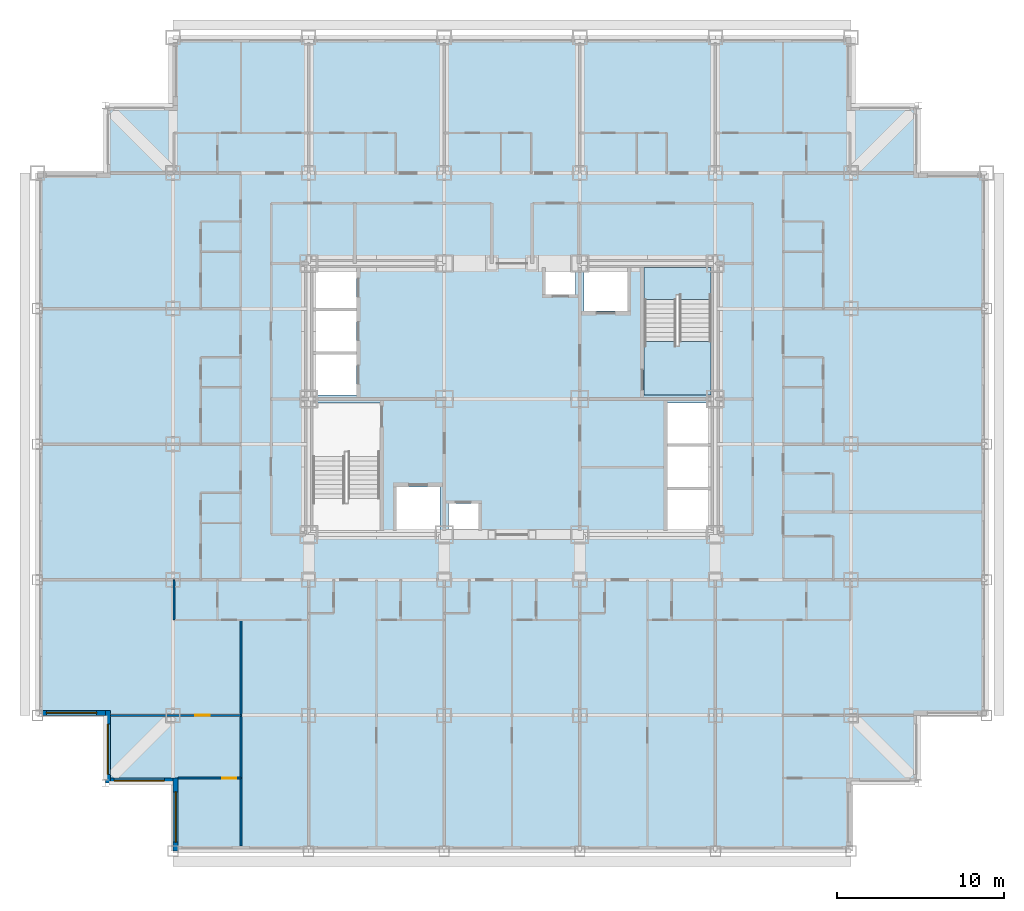
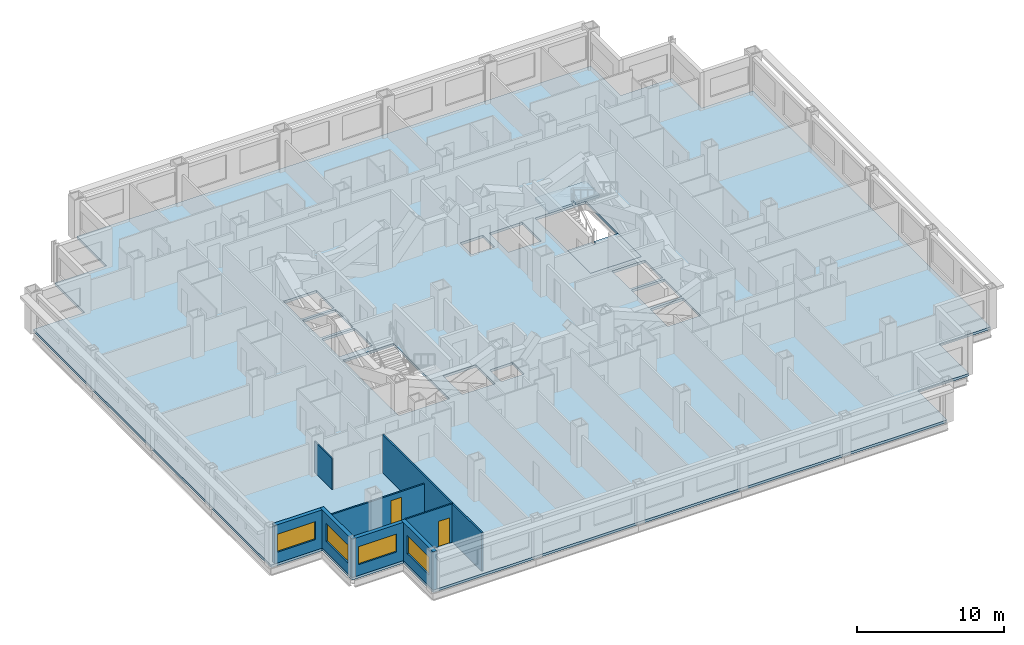
# One storey, part 3 of 12: 8 walls, 4 windows, 3 slabs, 2 doors, 6 openings, 1 element without a shape of its own.
"""IFC4 building model written with IfcOpenShell, lengths in metres."""

from ifc_helpers import new_model, si_unit, direction, frame, frame_2d, origin, place, context, subcontext, project, spatial, polyline, rectangle, outline, extrude, material, layer, layer_set, type_object, element, fill, aggregate, save


model = new_model("IFC4")

# Units and contexts
model_context = context("Model", 3, precision=1e-05, world=origin(), true_north=direction((0.0, 1.0)))
body_context = subcontext(model_context, "Body", "Model", "MODEL_VIEW")
ifc_project = project(units=[si_unit("LENGTHUNIT", "METRE"), si_unit("AREAUNIT", "SQUARE_METRE"), si_unit("VOLUMEUNIT", "CUBIC_METRE"), si_unit("PLANEANGLEUNIT", "RADIAN"), si_unit("MASSUNIT", "GRAM", prefix="KILO")], contexts=[model_context])

# Site, building, storey
site_placement = place(None, origin())
site = spatial("IfcSite", under=ifc_project, at=site_placement, CompositionType="ELEMENT")
building_placement = place(site_placement, origin())
building = spatial("IfcBuilding", under=site, at=building_placement, Name="Kopane Lantern Tower", CompositionType="ELEMENT")
storey_placement = place(building_placement, frame((0.0, 0.0, 106.800048828125)))
storey = spatial("IfcBuildingStorey", under=building, at=storey_placement, Name="L26", CompositionType="ELEMENT", Elevation=106.800048828125)

# Slab
ifc_material_1 = material(Name="Concrete C40/50", Category="concrete")
ifc_layer_1 = layer(ifc_material_1, 0.2099609375)
ifc_layer_set_1 = layer_set([ifc_layer_1], Name="SLAB 210 COMPOSITE")
slab_type_1 = type_object("IfcSlabType", Name="SLAB 210 COMPOSITE", PredefinedType="FLOOR", material=ifc_layer_set_1)
slab_1_placement = place(storey_placement, frame((0.0, 0.0, -0.2099609375)))
element("IfcSlab", 1, at=slab_1_placement, inside=storey, type_object=slab_type_1, Name="Floor slab L26", PredefinedType="FLOOR", context=body_context, shape_type="SweptSolid", body=[
    extrude(outline(polyline([(8.10009765625, 5.39990234375), (48.60009765625, 5.39990234375), (48.60009765625, 9.449951171875), (52.64990234375, 9.449951171875), (52.64990234375, 13.5), (56.699951171875, 13.5), (56.699951171875, 45.89990234375), (52.64990234375, 45.89990234375), (52.64990234375, 49.949951171875), (48.60009765625, 49.949951171875), (48.60009765625, 54.0), (8.10009765625, 54.0), (8.10009765625, 49.949951171875), (4.050048828125, 49.949951171875), (4.050048828125, 45.89990234375), (0.0, 45.89990234375), (0.0, 13.5), (4.050048828125, 13.5), (4.050048828125, 9.449951171875), (8.10009765625, 9.449951171875), (8.10009765625, 5.39990234375)]), holes=[polyline([(16.449951171875, 24.550048828125), (20.449951171875, 24.550048828125), (20.449951171875, 32.14990234375), (16.449951171875, 32.14990234375), (16.449951171875, 24.550048828125)]), polyline([(36.25, 32.64990234375), (40.25, 32.64990234375), (40.25, 40.25), (36.25, 40.25), (36.25, 32.64990234375)]), polyline([(16.449951171875, 32.64990234375), (19.050048828125, 32.64990234375), (19.050048828125, 35.050048828125), (16.449951171875, 35.050048828125), (16.449951171875, 32.64990234375)]), polyline([(16.449951171875, 35.25), (19.050048828125, 35.25), (19.050048828125, 37.64990234375), (16.449951171875, 37.64990234375), (16.449951171875, 35.25)]), polyline([(16.449951171875, 37.85009765625), (19.050048828125, 37.85009765625), (19.050048828125, 40.25), (16.449951171875, 40.25), (16.449951171875, 37.85009765625)]), polyline([(37.64990234375, 24.550048828125), (40.25, 24.550048828125), (40.25, 26.949951171875), (37.64990234375, 26.949951171875), (37.64990234375, 24.550048828125)]), polyline([(37.64990234375, 27.14990234375), (40.25, 27.14990234375), (40.25, 29.550048828125), (37.64990234375, 29.550048828125), (37.64990234375, 27.14990234375)]), polyline([(37.64990234375, 29.75), (40.25, 29.75), (40.25, 32.14990234375), (37.64990234375, 32.14990234375), (37.64990234375, 29.75)]), polyline([(21.449951171875, 24.550048828125), (24.050048828125, 24.550048828125), (24.050048828125, 27.14990234375), (21.449951171875, 27.14990234375), (21.449951171875, 24.550048828125)]), polyline([(32.64990234375, 37.64990234375), (35.25, 37.64990234375), (35.25, 40.25), (32.64990234375, 40.25), (32.64990234375, 37.64990234375)]), polyline([(24.550048828125, 24.550048828125), (26.35009765625, 24.550048828125), (26.35009765625, 26.14990234375), (24.550048828125, 26.14990234375), (24.550048828125, 24.550048828125)]), polyline([(30.35009765625, 38.64990234375), (32.14990234375, 38.64990234375), (32.14990234375, 40.25), (30.35009765625, 40.25), (30.35009765625, 38.64990234375)])]), origin(), (0.0, 0.0, 1.0), 0.2099609375),
])

# Stair, slabs
ifc_material_2 = material(Name="Steel S355JR", Category="steel")
stair_type = type_object("IfcStairType", Name="EXIT STAIR 1900 HALF TURN", PredefinedType="HALF_TURN_STAIR", material=ifc_material_2)
stair_placement = place(storey_placement, origin())
stair = element("IfcStair", 2, at=stair_placement, inside=storey, type_object=stair_type, Name="Exit stair ST2 L26", PredefinedType="HALF_TURN_STAIR")
ifc_material_3 = material(Name="Concrete C40/50", Category="concrete")
ifc_layer_2 = layer(ifc_material_3, 0.199951171875)
ifc_layer_set_2 = layer_set([ifc_layer_2], Name="STAIR LANDING 200")
slab_type_2 = type_object("IfcSlabType", Name="STAIR LANDING 200", PredefinedType="LANDING", material=ifc_layer_set_2)
slab_2_placement = place(storey_placement, frame((0.0, 0.0, -0.199951171875)))
slab_2 = element("IfcSlab", 3, at=slab_2_placement, type_object=slab_type_2, Name="ST2 landing 1", PredefinedType="LANDING", context=body_context, shape_type="SweptSolid", body=[
    extrude(outline(polyline([(40.25, 35.830078125), (38.35009765625, 35.830078125), (38.35009765625, 35.550048828125), (38.14990234375, 35.550048828125), (38.14990234375, 35.830078125), (36.25, 35.830078125), (36.25, 32.64990234375), (40.25, 32.64990234375), (40.25, 35.830078125)])), origin(), (0.0, 0.0, 1.0), 0.199951171875),
])
slab_3_placement = place(storey_placement, frame((0.0, 0.0, 1.5)))
slab_3 = element("IfcSlab", 4, at=slab_3_placement, type_object=slab_type_2, Name="ST2 landing 2", PredefinedType="LANDING", context=body_context, shape_type="SweptSolid", body=[
    extrude(outline(polyline([(38.14990234375, 38.6298828125), (38.35009765625, 38.6298828125), (38.35009765625, 38.35009765625), (40.25, 38.35009765625), (40.25, 40.25), (36.25, 40.25), (36.25, 38.35009765625), (38.14990234375, 38.35009765625), (38.14990234375, 38.6298828125)])), origin(), (0.0, 0.0, 1.0), 0.199951171875),
])
aggregate(stair, [slab_2, slab_3])

# Wall
ifc_material_4 = material(Name="Gypsum board on steel studs", Category="steel")
ifc_layer_3 = layer(ifc_material_4, 0.1201171875)
ifc_layer_set_3 = layer_set([ifc_layer_3], Name="APARTMENT INTERNAL WALL 120")
wall_type_1 = type_object("IfcWallType", Name="APARTMENT INTERNAL WALL 120", PredefinedType="PARTITIONING", material=ifc_layer_set_3)
wall_1_placement = place(storey_placement, frame((12.14990234375, 19.199951171875, 0.0), z_axis=(0.0, 0.0, 1.0), x_axis=(0.0, -1.0, 0.0)))
element("IfcWall", 5, at=wall_1_placement, inside=storey, type_object=wall_type_1, Name="Apartment Internal Wall 120 L26", PredefinedType="PARTITIONING", context=body_context, shape_type="SweptSolid", body=[
    extrude(rectangle(XDim=13.5, YDim=0.1201171875, at=frame_2d((6.75, 0.0))), origin(), (0.0, 0.0, 1.0), 3.18994140625),
])

# Wall, opening, door
wall_2_placement = place(storey_placement, frame((12.14990234375, 13.5, 0.0), z_axis=(0.0, 0.0, 1.0), x_axis=(-1.0, 0.0, 0.0)))
wall_2 = element("IfcWall", 6, at=wall_2_placement, inside=storey, type_object=wall_type_1, Name="Apartment Internal Wall 120 L26", PredefinedType="PARTITIONING", context=body_context, shape_type="SweptSolid", body=[
    extrude(rectangle(XDim=7.7998046875, YDim=0.1201171875, at=frame_2d((3.89990234375, 0.0))), origin(), (0.0, 0.0, 1.0), 2.57763671875),
])
opening_1_placement = place(wall_2_placement, frame((1.875, 0.0, 0.0)))
opening_1 = element("IfcOpeningElement", 7, at=opening_1_placement, cuts=wall_2, Name="Opening L26-053", PredefinedType="OPENING", context=body_context, shape_type="SweptSolid", body=[
    extrude(rectangle(XDim=0.85009765625, YDim=2.10009765625, at=frame_2d((0.425048828125, 1.050048828125))), frame((0.0, 0.070068359375, 0.0), z_axis=(0.0, -1.0, 0.0), x_axis=(1.0, 0.0, 0.0)), (0.0, 0.0, 1.0), 0.14013671875),
])
ifc_material_5 = material(Name="Timber door set", Category="wood")
door_type = type_object("IfcDoorType", Name="DOOR D4 850x2100", OperationType="SINGLE_SWING_LEFT", PredefinedType="DOOR", material=ifc_material_5)
door_1_placement = place(opening_1_placement, origin())
door_1 = element("IfcDoor", 8, at=door_1_placement, inside=storey, type_object=door_type, Name="Door L26-053", OperationType="SINGLE_SWING_LEFT", OverallHeight=2.10009765625, OverallWidth=0.85009765625, PredefinedType="DOOR", context=body_context, shape_type="SweptSolid", body=[
    extrude(rectangle(XDim=0.85009765625, YDim=2.10009765625, at=frame_2d((0.425048828125, 1.050048828125))), frame((0.0, 0.02490234375, 0.0), z_axis=(0.0, -1.0, 0.0), x_axis=(1.0, 0.0, 0.0)), (0.0, 0.0, 1.0), 0.050048828125),
])
fill(opening_1, door_1)

wall_3_placement = place(storey_placement, frame((8.389892578125, 9.75, 0.0), z_axis=(0.0, 0.0, 1.0), x_axis=(1.0, 0.0, 0.0)))
wall_3 = element("IfcWall", 9, at=wall_3_placement, inside=storey, type_object=wall_type_1, Name="Apartment Internal Wall 120 L26", PredefinedType="PARTITIONING", context=body_context, shape_type="SweptSolid", body=[
    extrude(rectangle(XDim=3.760009765625, YDim=0.1201171875, at=frame_2d((1.8798828125, 0.0))), origin(), (0.0, 0.0, 1.0), 3.18994140625),
])
opening_2_placement = place(wall_3_placement, frame((2.635009765625, 0.0, 0.0)))
opening_2 = element("IfcOpeningElement", 10, at=opening_2_placement, cuts=wall_3, Name="Opening L26-070", PredefinedType="OPENING", context=body_context, shape_type="SweptSolid", body=[
    extrude(rectangle(XDim=0.85009765625, YDim=2.10009765625, at=frame_2d((0.425048828125, 1.050048828125))), frame((0.0, 0.070068359375, 0.0), z_axis=(0.0, -1.0, 0.0), x_axis=(1.0, 0.0, 0.0)), (0.0, 0.0, 1.0), 0.14013671875),
])
door_2_placement = place(opening_2_placement, origin())
door_2 = element("IfcDoor", 11, at=door_2_placement, inside=storey, type_object=door_type, Name="Door L26-070", OperationType="SINGLE_SWING_RIGHT", OverallHeight=2.10009765625, OverallWidth=0.85009765625, PredefinedType="DOOR", context=body_context, shape_type="SweptSolid", body=[
    extrude(rectangle(XDim=0.85009765625, YDim=2.10009765625, at=frame_2d((0.425048828125, 1.050048828125))), frame((0.0, 0.02490234375, 0.0), z_axis=(0.0, -1.0, 0.0), x_axis=(1.0, 0.0, 0.0)), (0.0, 0.0, 1.0), 0.050048828125),
])
fill(opening_2, door_2)

# Wall
ifc_material_6 = material(Name="Moisture-resistant board on steel studs", Category="steel")
ifc_layer_4 = layer(ifc_material_6, 0.10009765625)
ifc_layer_set_4 = layer_set([ifc_layer_4], Name="BATHROOM WALL 100")
wall_type_2 = type_object("IfcWallType", Name="BATHROOM WALL 100", PredefinedType="PARTITIONING", material=ifc_layer_set_4)
wall_4_placement = place(storey_placement, frame((8.14990234375, 21.60009765625, 0.0), z_axis=(0.0, 0.0, 1.0), x_axis=(0.0, -1.0, 0.0)))
element("IfcWall", 12, at=wall_4_placement, inside=storey, type_object=wall_type_2, Name="Bathroom Wall 100 L26", PredefinedType="PARTITIONING", context=body_context, shape_type="SweptSolid", body=[
    extrude(rectangle(XDim=2.400146484375, YDim=0.10009765625, at=frame_2d((1.2001953125, 0.0))), origin(), (0.0, 0.0, 1.0), 2.57763671875),
])

# Wall, opening, window
ifc_material_7 = material(Name="Terracotta rainscreen on light steel framing", Category="masonry")
ifc_layer_5 = layer(ifc_material_7, 0.300048828125)
ifc_layer_set_5 = layer_set([ifc_layer_5], Name="EXTERNAL WALL EW1 300 TERRACOTTA")
wall_type_3 = type_object("IfcWallType", Name="EXTERNAL WALL EW1 300 TERRACOTTA", PredefinedType="SOLIDWALL", material=ifc_layer_set_5)
wall_5_placement = place(storey_placement, frame((0.300048828125, 13.64990234375, 0.0), z_axis=(0.0, 0.0, 1.0), x_axis=(1.0, 0.0, 0.0)))
wall_5 = element("IfcWall", 13, at=wall_5_placement, inside=storey, type_object=wall_type_3, Name="External wall S L26", PredefinedType="SOLIDWALL", context=body_context, shape_type="SweptSolid", body=[
    extrude(rectangle(XDim=3.75, YDim=0.300048828125, at=frame_2d((1.875, 0.0))), origin(), (0.0, 0.0, 1.0), 3.18994140625),
])
opening_3_placement = place(wall_5_placement, frame((0.22509765625, 0.0, 0.89990234375)))
opening_3 = element("IfcOpeningElement", 14, at=opening_3_placement, cuts=wall_5, Name="Opening WR300150", PredefinedType="OPENING", context=body_context, shape_type="SweptSolid", body=[
    extrude(rectangle(XDim=3.0, YDim=1.5, at=frame_2d((1.5, 0.75))), frame((0.0, 0.159912109375, 0.0), z_axis=(0.0, -1.0, 0.0), x_axis=(1.0, 0.0, 0.0)), (0.0, 0.0, 1.0), 0.320068359375),
])
ifc_material_8 = material(Name="Aluminium and clear glass", Category="aluminium")
window_type = type_object("IfcWindowType", Name="RIBBON WINDOW WR300150 3000x1500", PartitioningType="SINGLE_PANEL", PredefinedType="WINDOW", material=ifc_material_8)
window_1_placement = place(opening_3_placement, origin())
window_1 = element("IfcWindow", 15, at=window_1_placement, inside=storey, type_object=window_type, Name="Window S L26", OverallHeight=1.5, OverallWidth=3.0, PartitioningType="SINGLE_PANEL", PredefinedType="WINDOW", context=body_context, shape_type="SweptSolid", body=[
    extrude(rectangle(XDim=3.0, YDim=1.5, at=frame_2d((1.5, 0.75))), frame((0.0, 0.030029296875, 0.0), z_axis=(0.0, -1.0, 0.0), x_axis=(1.0, 0.0, 0.0)), (0.0, 0.0, 1.0), 0.06005859375),
])
fill(opening_3, window_1)

wall_6_placement = place(storey_placement, frame((4.199951171875, 13.800048828125, 0.0), z_axis=(0.0, 0.0, 1.0), x_axis=(0.0, -1.0, 0.0)))
wall_6 = element("IfcWall", 16, at=wall_6_placement, inside=storey, type_object=wall_type_3, Name="External wall W L26", PredefinedType="SOLIDWALL", context=body_context, shape_type="SweptSolid", body=[
    extrude(rectangle(XDim=4.35009765625, YDim=0.300048828125, at=frame_2d((2.175048828125, 0.0))), origin(), (0.0, 0.0, 1.0), 3.18994140625),
])
opening_4_placement = place(wall_6_placement, frame((0.824951171875, 0.0, 0.89990234375)))
opening_4 = element("IfcOpeningElement", 17, at=opening_4_placement, cuts=wall_6, Name="Opening WR300150", PredefinedType="OPENING", context=body_context, shape_type="SweptSolid", body=[
    extrude(rectangle(XDim=3.0, YDim=1.5, at=frame_2d((1.5, 0.75))), frame((0.0, 0.159912109375, 0.0), z_axis=(0.0, -1.0, 0.0), x_axis=(1.0, 0.0, 0.0)), (0.0, 0.0, 1.0), 0.320068359375),
])
window_2_placement = place(opening_4_placement, origin())
window_2 = element("IfcWindow", 18, at=window_2_placement, inside=storey, type_object=window_type, Name="Window W L26", OverallHeight=1.5, OverallWidth=3.0, PartitioningType="SINGLE_PANEL", PredefinedType="WINDOW", context=body_context, shape_type="SweptSolid", body=[
    extrude(rectangle(XDim=3.0, YDim=1.5, at=frame_2d((1.5, 0.75))), frame((0.0, 0.030029296875, 0.0), z_axis=(0.0, -1.0, 0.0), x_axis=(1.0, 0.0, 0.0)), (0.0, 0.0, 1.0), 0.06005859375),
])
fill(opening_4, window_2)

wall_7_placement = place(storey_placement, frame((4.35009765625, 9.60009765625, 0.0), z_axis=(0.0, 0.0, 1.0), x_axis=(1.0, 0.0, 0.0)))
wall_7 = element("IfcWall", 19, at=wall_7_placement, inside=storey, type_object=wall_type_3, Name="External wall S L26", PredefinedType="SOLIDWALL", context=body_context, shape_type="SweptSolid", body=[
    extrude(rectangle(XDim=3.75, YDim=0.300048828125, at=frame_2d((1.875, 0.0))), origin(), (0.0, 0.0, 1.0), 3.18994140625),
])
opening_5_placement = place(wall_7_placement, frame((0.22509765625, 0.0, 0.89990234375)))
opening_5 = element("IfcOpeningElement", 20, at=opening_5_placement, cuts=wall_7, Name="Opening WR300150", PredefinedType="OPENING", context=body_context, shape_type="SweptSolid", body=[
    extrude(rectangle(XDim=3.0, YDim=1.5, at=frame_2d((1.5, 0.75))), frame((0.0, 0.159912109375, 0.0), z_axis=(0.0, -1.0, 0.0), x_axis=(1.0, 0.0, 0.0)), (0.0, 0.0, 1.0), 0.320068359375),
])
window_3_placement = place(opening_5_placement, origin())
window_3 = element("IfcWindow", 21, at=window_3_placement, inside=storey, type_object=window_type, Name="Window S L26", OverallHeight=1.5, OverallWidth=3.0, PartitioningType="SINGLE_PANEL", PredefinedType="WINDOW", context=body_context, shape_type="SweptSolid", body=[
    extrude(rectangle(XDim=3.0, YDim=1.5, at=frame_2d((1.5, 0.75))), frame((0.0, 0.030029296875, 0.0), z_axis=(0.0, -1.0, 0.0), x_axis=(1.0, 0.0, 0.0)), (0.0, 0.0, 1.0), 0.06005859375),
])
fill(opening_5, window_3)

wall_8_placement = place(storey_placement, frame((8.25, 9.75, 0.0), z_axis=(0.0, 0.0, 1.0), x_axis=(0.0, -1.0, 0.0)))
wall_8 = element("IfcWall", 22, at=wall_8_placement, inside=storey, type_object=wall_type_3, Name="External wall W L26", PredefinedType="SOLIDWALL", context=body_context, shape_type="SweptSolid", body=[
    extrude(rectangle(XDim=4.35009765625, YDim=0.300048828125, at=frame_2d((2.175048828125, 0.0))), origin(), (0.0, 0.0, 1.0), 3.18994140625),
])
opening_6_placement = place(wall_8_placement, frame((0.824951171875, 0.0, 0.89990234375)))
opening_6 = element("IfcOpeningElement", 23, at=opening_6_placement, cuts=wall_8, Name="Opening WR300150", PredefinedType="OPENING", context=body_context, shape_type="SweptSolid", body=[
    extrude(rectangle(XDim=3.0, YDim=1.5, at=frame_2d((1.5, 0.75))), frame((0.0, 0.159912109375, 0.0), z_axis=(0.0, -1.0, 0.0), x_axis=(1.0, 0.0, 0.0)), (0.0, 0.0, 1.0), 0.320068359375),
])
window_4_placement = place(opening_6_placement, origin())
window_4 = element("IfcWindow", 24, at=window_4_placement, inside=storey, type_object=window_type, Name="Window W L26", OverallHeight=1.5, OverallWidth=3.0, PartitioningType="SINGLE_PANEL", PredefinedType="WINDOW", context=body_context, shape_type="SweptSolid", body=[
    extrude(rectangle(XDim=3.0, YDim=1.5, at=frame_2d((1.5, 0.75))), frame((0.0, 0.030029296875, 0.0), z_axis=(0.0, -1.0, 0.0), x_axis=(1.0, 0.0, 0.0)), (0.0, 0.0, 1.0), 0.06005859375),
])
fill(opening_6, window_4)

save(model, "model.ifc")
